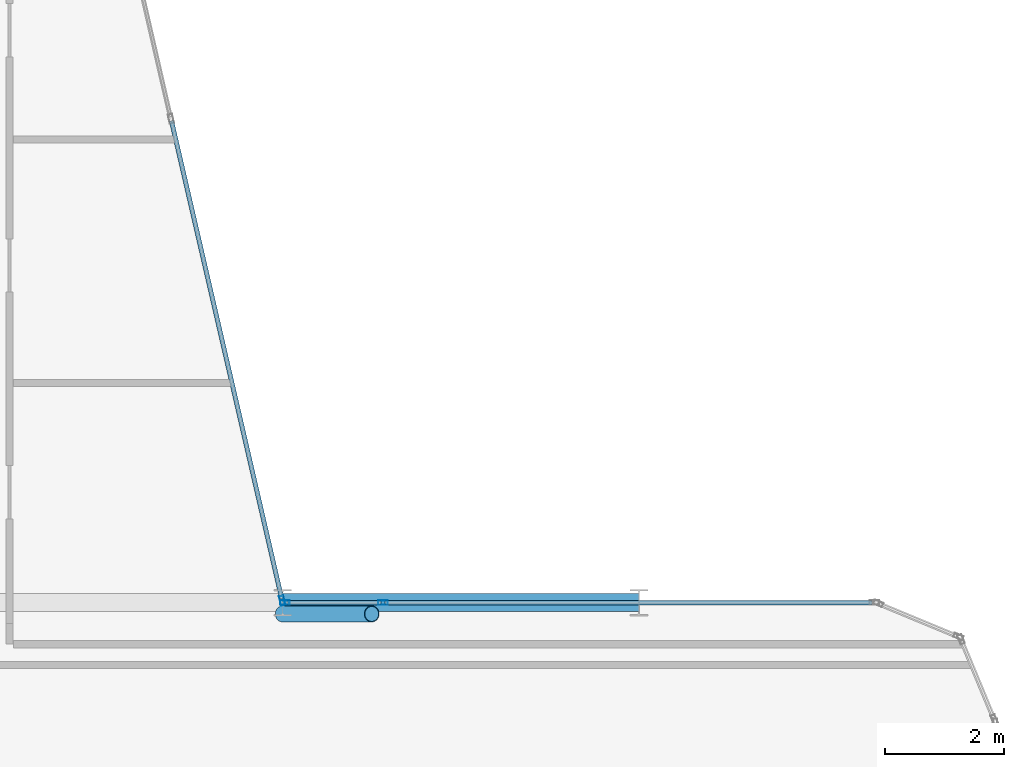
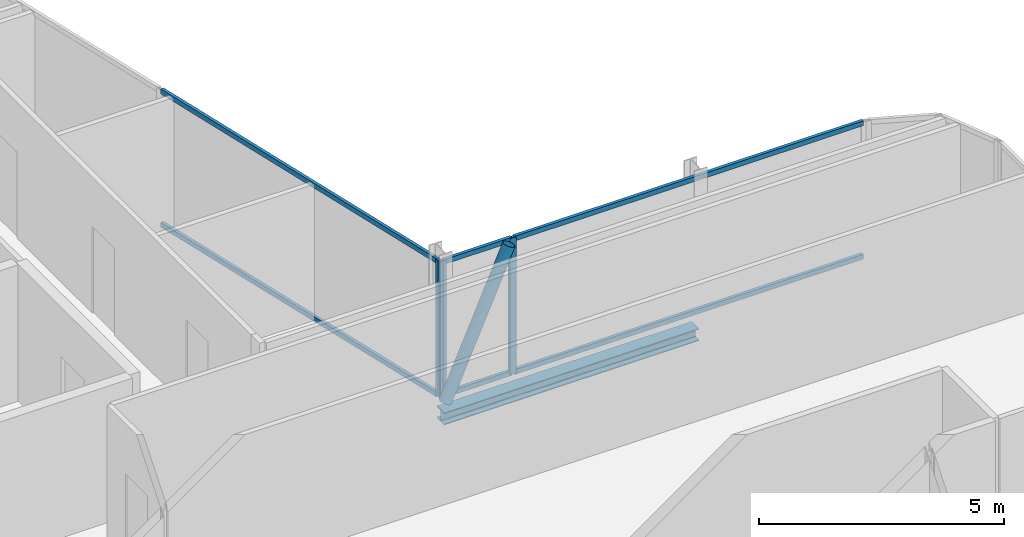
# One storey, part 14 of 29: 10 members, 1 beam, 3 elements without a shape of their own.
"""IFC4 building model written with IfcOpenShell, lengths in metres."""

from ifc_helpers import new_model, si_unit, direction, frame, origin, origin_2d, place, context, subcontext, project, spatial, hollow_rectangle, hollow_circle, i_section, extrude, material, layer, layer_set, material_profile, profile_set, type_object, element, aggregate, save


model = new_model("IFC4")

# Units and contexts
model_context = context("Model", 3, precision=1e-05, world=origin(), true_north=direction((0.0, 1.0)))
body_context = subcontext(model_context, "Body", "Model", "MODEL_VIEW")
ifc_project = project(units=[si_unit("LENGTHUNIT", "METRE"), si_unit("AREAUNIT", "SQUARE_METRE"), si_unit("VOLUMEUNIT", "CUBIC_METRE"), si_unit("PLANEANGLEUNIT", "RADIAN"), si_unit("MASSUNIT", "GRAM", prefix="KILO")], contexts=[model_context])

# Site, building, storey
site_placement = place(None, origin())
site = spatial("IfcSite", under=ifc_project, at=site_placement, CompositionType="ELEMENT")
building_placement = place(site_placement, origin())
building = spatial("IfcBuilding", under=site, at=building_placement, Name="Keshet Zoharim Tower", CompositionType="ELEMENT")
storey_placement = place(building_placement, frame((0.0, 0.0, 230.199951171875)))
storey = spatial("IfcBuildingStorey", under=building, at=storey_placement, Name="L57", CompositionType="ELEMENT", Elevation=230.199951171875)

# Beam
ifc_material_1 = material(Name="Steel S355", Category="steel")
ifc_material_profile_1 = material_profile(ifc_material_1, i_section(OverallWidth=0.300048828125, OverallDepth=0.300048828125, WebThickness=0.010986328125, FlangeThickness=0.01904296875, FilletRadius=0.027099609375, at=origin_2d()), Name="HEB300")
ifc_profile_set_1 = profile_set([ifc_material_profile_1], Name="Steel S355")
beam_type = type_object("IfcBeamType", Name="BM-PRI-HB300", PredefinedType="BEAM", material=ifc_profile_set_1)
beam_placement = place(storey_placement, frame((45.0, 27.89990234375, -0.4599609375), z_axis=(1.0, 0.0, 0.0), x_axis=(0.0, 1.0, 0.0)))
element("IfcBeam", 1, at=beam_placement, inside=storey, type_object=beam_type, Name="L57 Primary Girder X-016", PredefinedType="BEAM", context=body_context, shape_type="SweptSolid", body=[
    extrude(i_section(OverallWidth=0.300048828125, OverallDepth=0.300048828125, WebThickness=0.010986328125, FlangeThickness=0.01904296875, FilletRadius=0.027099609375, at=origin_2d()), origin(), (0.0, 0.0, 1.0), 6.0),
])

# Curtain wall, member
ifc_material_2 = material(Name="Aluminium 6063-T6", Category="aluminium")
ifc_layer = layer(ifc_material_2, 0.139892578125)
ifc_layer_set = layer_set([ifc_layer], Name="Aluminium 6063-T6")
curtain_wall_type = type_object("IfcCurtainWallType", Name="CW-SYS-05", PredefinedType="NOTDEFINED", material=ifc_layer_set)
curtain_wall_1_placement = place(storey_placement, origin())
curtain_wall_1 = element("IfcCurtainWall", 2, at=curtain_wall_1_placement, inside=storey, type_object=curtain_wall_type, Name="L57 Unitised Curtain Wall 19", PredefinedType="NOTDEFINED")
ifc_material_profile_2 = material_profile(ifc_material_2, hollow_rectangle(XDim=0.074951171875, YDim=0.159912109375, WallThickness=0.00390625, at=origin_2d()), Name="MUL-75x160")
ifc_profile_set_2 = profile_set([ifc_material_profile_2], Name="Aluminium 6063-T6")
member_type_1 = type_object("IfcMemberType", Name="CWM-M15", PredefinedType="MULLION", material=ifc_profile_set_2)
member_1_placement = place(storey_placement, frame((44.9921875, 27.93408203125, 0.0), z_axis=(0.0, 0.0, 1.0), x_axis=(0.974393882313, 0.224847864369, 0.0)))
member_1 = element("IfcMember", 3, at=member_1_placement, type_object=member_type_1, Name="CW-05 mullion 4", PredefinedType="MULLION", context=body_context, shape_type="SweptSolid", body=[
    extrude(hollow_rectangle(XDim=0.074951171875, YDim=0.159912109375, WallThickness=0.00390625, at=origin_2d()), origin(), (0.0, 0.0, 1.0), 3.39013671875),
])

# Curtain wall, members
curtain_wall_2_placement = place(storey_placement, origin())
curtain_wall_2 = element("IfcCurtainWall", 4, at=curtain_wall_2_placement, inside=storey, type_object=curtain_wall_type, Name="L57 Unitised Curtain Wall 20", PredefinedType="NOTDEFINED")
member_2_placement = place(storey_placement, frame((45.034912109375, 27.89990234375, 0.0), z_axis=(0.0, 0.0, 1.0), x_axis=(0.0, 1.0, 0.0)))
member_2 = element("IfcMember", 5, at=member_2_placement, type_object=member_type_1, Name="CW-05 mullion 1", PredefinedType="MULLION", context=body_context, shape_type="SweptSolid", body=[
    extrude(hollow_rectangle(XDim=0.074951171875, YDim=0.159912109375, WallThickness=0.00390625, at=origin_2d()), origin(), (0.0, 0.0, 1.0), 3.39013671875),
])
member_3_placement = place(storey_placement, frame((46.689697265625, 27.89990234375, 0.0), z_axis=(0.0, 0.0, 1.0), x_axis=(0.0, 1.0, 0.0)))
member_3 = element("IfcMember", 6, at=member_3_placement, type_object=member_type_1, Name="CW-05 mullion 2", PredefinedType="MULLION", context=body_context, shape_type="SweptSolid", body=[
    extrude(hollow_rectangle(XDim=0.074951171875, YDim=0.159912109375, WallThickness=0.00390625, at=origin_2d()), origin(), (0.0, 0.0, 1.0), 3.39013671875),
])

# Member
ifc_material_profile_3 = material_profile(ifc_material_2, hollow_rectangle(XDim=0.074951171875, YDim=0.1201171875, WallThickness=0.00390625, at=origin_2d()), Name="TRN-75x120")
ifc_profile_set_3 = profile_set([ifc_material_profile_3], Name="Aluminium 6063-T6")
member_type_2 = type_object("IfcMemberType", Name="CWT-T12", PredefinedType="USERDEFINED", material=ifc_profile_set_3)
member_4_placement = place(storey_placement, frame((43.127197265625, 36.015869140625, 0.03515625), z_axis=(0.224863824467, -0.974390199277, 0.0), x_axis=(0.974390199277, 0.224863824467, 0.0)))
member_4 = element("IfcMember", 7, at=member_4_placement, type_object=member_type_2, Name="CW-05 transom 3.1", ObjectType="TRANSOM", PredefinedType="USERDEFINED", context=body_context, shape_type="SweptSolid", body=[
    extrude(hollow_rectangle(XDim=0.074951171875, YDim=0.1201171875, WallThickness=0.00390625, at=origin_2d()), origin(), (0.0, 0.0, 1.0), 8.259033203125),
])

member_5_placement = place(storey_placement, frame((43.127197265625, 36.015869140625, 3.35498046875), z_axis=(0.224863824467, -0.974390199277, 0.0), x_axis=(0.974390199277, 0.224863824467, 0.0)))
member_5 = element("IfcMember", 8, at=member_5_placement, type_object=member_type_2, Name="CW-05 transom 3.2", ObjectType="TRANSOM", PredefinedType="USERDEFINED", context=body_context, shape_type="SweptSolid", body=[
    extrude(hollow_rectangle(XDim=0.074951171875, YDim=0.1201171875, WallThickness=0.00390625, at=origin_2d()), origin(), (0.0, 0.0, 1.0), 8.259033203125),
])

aggregate(curtain_wall_1, [member_1, member_4, member_5])

member_6_placement = place(storey_placement, frame((45.070068359375, 27.89990234375, 0.03515625), z_axis=(1.0, 0.0, 0.0), x_axis=(0.0, 1.0, 0.0)))
member_6 = element("IfcMember", 9, at=member_6_placement, type_object=member_type_2, Name="CW-05 transom 1.1", ObjectType="TRANSOM", PredefinedType="USERDEFINED", context=body_context, shape_type="SweptSolid", body=[
    extrude(hollow_rectangle(XDim=0.074951171875, YDim=0.1201171875, WallThickness=0.00390625, at=origin_2d()), origin(), (0.0, 0.0, 1.0), 1.584716796875),
])

member_7_placement = place(storey_placement, frame((45.070068359375, 27.89990234375, 3.35498046875), z_axis=(1.0, 0.0, 0.0), x_axis=(0.0, 1.0, 0.0)))
member_7 = element("IfcMember", 10, at=member_7_placement, type_object=member_type_2, Name="CW-05 transom 1.2", ObjectType="TRANSOM", PredefinedType="USERDEFINED", context=body_context, shape_type="SweptSolid", body=[
    extrude(hollow_rectangle(XDim=0.074951171875, YDim=0.1201171875, WallThickness=0.00390625, at=origin_2d()), origin(), (0.0, 0.0, 1.0), 1.584716796875),
])

aggregate(curtain_wall_2, [member_2, member_3, member_6, member_7])

# Curtain wall, members
curtain_wall_3_placement = place(storey_placement, origin())
curtain_wall_3 = element("IfcCurtainWall", 11, at=curtain_wall_3_placement, inside=storey, type_object=curtain_wall_type, Name="L57 Unitised Curtain Wall 20 Part 2", PredefinedType="NOTDEFINED")
member_8_placement = place(storey_placement, frame((46.724853515625, 27.89990234375, 0.03515625), z_axis=(1.0, 0.0, 0.0), x_axis=(0.0, 1.0, 0.0)))
member_8 = element("IfcMember", 12, at=member_8_placement, type_object=member_type_2, Name="CW-05 transom 1.1", ObjectType="TRANSOM", PredefinedType="USERDEFINED", context=body_context, shape_type="SweptSolid", body=[
    extrude(hollow_rectangle(XDim=0.074951171875, YDim=0.1201171875, WallThickness=0.00390625, at=origin_2d()), origin(), (0.0, 0.0, 1.0), 8.205078125),
])
member_9_placement = place(storey_placement, frame((46.724853515625, 27.89990234375, 3.35498046875), z_axis=(1.0, 0.0, 0.0), x_axis=(0.0, 1.0, 0.0)))
member_9 = element("IfcMember", 13, at=member_9_placement, type_object=member_type_2, Name="CW-05 transom 1.2", ObjectType="TRANSOM", PredefinedType="USERDEFINED", context=body_context, shape_type="SweptSolid", body=[
    extrude(hollow_rectangle(XDim=0.074951171875, YDim=0.1201171875, WallThickness=0.00390625, at=origin_2d()), origin(), (0.0, 0.0, 1.0), 8.205078125),
])
aggregate(curtain_wall_3, [member_8, member_9])

# Member
ifc_material_profile_4 = material_profile(ifc_material_1, hollow_circle(Radius=0.136474609375, WallThickness=0.010009765625, at=origin_2d()), Name="CHS273x10")
ifc_profile_set_4 = profile_set([ifc_material_profile_4], Name="Steel S355")
member_type_3 = type_object("IfcMemberType", Name="MB-BR-C273", PredefinedType="BRACE", material=ifc_profile_set_4)
member_10_placement = place(storey_placement, frame((45.0, 27.7099609375, 0.0), z_axis=(0.404622528463, 0.0, 0.914483793984), x_axis=(0.0, 1.0, 0.0)))
element("IfcMember", 14, at=member_10_placement, inside=storey, type_object=member_type_3, Name="L57 Perimeter Tube Brace 04", PredefinedType="BRACE", context=body_context, shape_type="SweptSolid", body=[
    extrude(hollow_circle(Radius=0.136474609375, WallThickness=0.010009765625, at=origin_2d()), origin(), (0.0, 0.0, 1.0), 3.707275390625),
])

save(model, "model.ifc")
